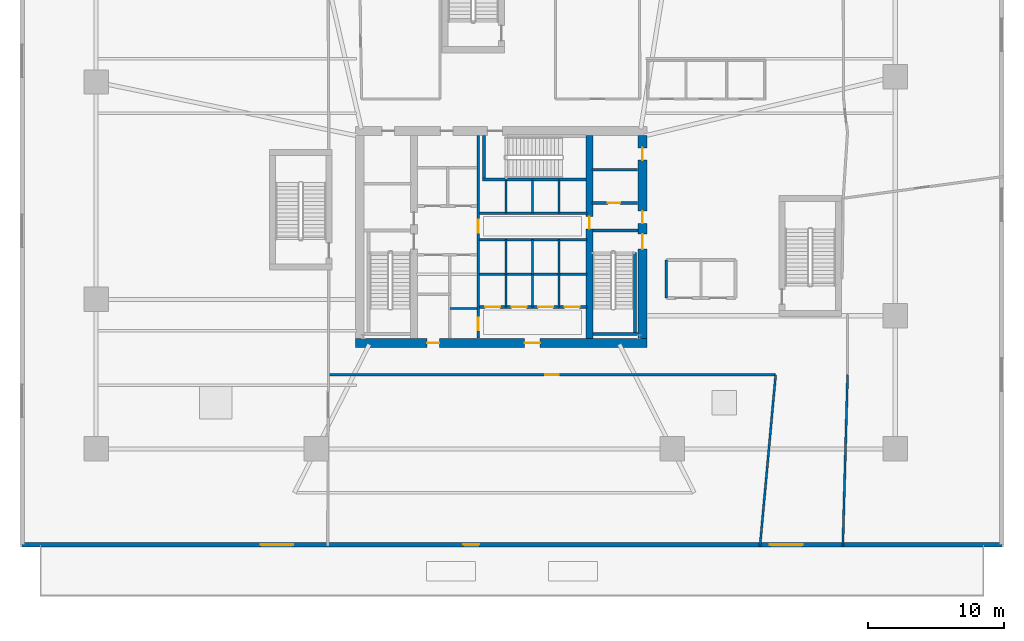
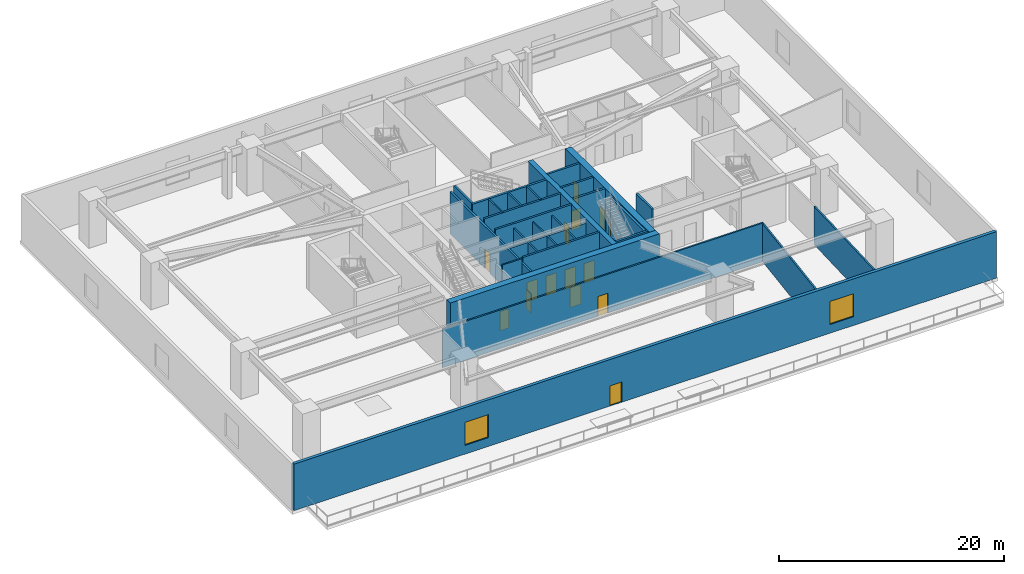
# One storey, part 5 of 11: 30 walls, 15 doors, 2 windows, 17 openings.
"""IFC4 building model written with IfcOpenShell, lengths in metres."""

from ifc_helpers import new_model, si_unit, direction, frame, frame_2d, origin, place, context, subcontext, project, spatial, rectangle, extrude, material, layer, layer_set, type_object, element, fill, save


model = new_model("IFC4")

# Units and contexts
model_context = context("Model", 3, precision=1e-05, world=origin(), true_north=direction((0.0, 1.0)))
body_context = subcontext(model_context, "Body", "Model", "MODEL_VIEW")
ifc_project = project(units=[si_unit("LENGTHUNIT", "METRE"), si_unit("AREAUNIT", "SQUARE_METRE"), si_unit("VOLUMEUNIT", "CUBIC_METRE"), si_unit("PLANEANGLEUNIT", "RADIAN"), si_unit("MASSUNIT", "GRAM", prefix="KILO")], contexts=[model_context])

# Site, building, storey
site_placement = place(None, origin())
site = spatial("IfcSite", under=ifc_project, at=site_placement, CompositionType="ELEMENT")
building_placement = place(site_placement, origin())
building = spatial("IfcBuilding", under=site, at=building_placement, Name="Qarnah Convention Tower", CompositionType="ELEMENT")
storey_placement = place(building_placement, frame((0.0, 0.0, 5.39990234375)))
storey = spatial("IfcBuildingStorey", under=building, at=storey_placement, Name="L01", CompositionType="ELEMENT", Elevation=5.39990234375)

# Wall, openings, doors
ifc_material_1 = material(Name="Concrete C60/75", Category="concrete")
ifc_layer_1 = layer(ifc_material_1, 0.64990234375)
ifc_layer_set_1 = layer_set([ifc_layer_1], Name="Concrete C60/75")
wall_type_1 = type_object("IfcWallType", Name="WL-CORE-650", PredefinedType="SHEAR", material=ifc_layer_set_1)
wall_1_placement = place(storey_placement, frame((26.47509765625, 18.60009765625, 0.0), z_axis=(0.0, 0.0, 1.0), x_axis=(1.0, 0.0, 0.0)))
wall_1 = element("IfcWall", 1, at=wall_1_placement, inside=storey, type_object=wall_type_1, Name="L01 core south shear wall", PredefinedType="SHEAR", context=body_context, shape_type="SweptSolid", body=[
    extrude(rectangle(XDim=21.449951171875, YDim=0.64990234375, at=frame_2d((10.72509765625, 0.0))), origin(), (0.0, 0.0, 1.0), 5.050048828125),
])
opening_1_placement = place(wall_1_placement, frame((12.449951171875, 0.0, 0.0)))
opening_1 = element("IfcOpeningElement", 2, at=opening_1_placement, cuts=wall_1, Name="Opening D-0107", PredefinedType="OPENING", context=body_context, shape_type="SweptSolid", body=[
    extrude(rectangle(XDim=1.14990234375, YDim=2.14990234375, at=frame_2d((0.574951171875, 1.074951171875))), frame((0.0, 0.3349609375, 0.0), z_axis=(0.0, -1.0, 0.0), x_axis=(1.0, 0.0, 0.0)), (0.0, 0.0, 1.0), 0.669921875),
])
opening_2_placement = place(wall_1_placement, frame((5.27490234375, 0.0, 0.0)))
opening_2 = element("IfcOpeningElement", 3, at=opening_2_placement, cuts=wall_1, Name="Opening D-0113", PredefinedType="OPENING", context=body_context, shape_type="SweptSolid", body=[
    extrude(rectangle(XDim=0.89990234375, YDim=2.10009765625, at=frame_2d((0.449951171875, 1.050048828125))), frame((0.0, 0.3349609375, 0.0), z_axis=(0.0, -1.0, 0.0), x_axis=(1.0, 0.0, 0.0)), (0.0, 0.0, 1.0), 0.669921875),
])
ifc_material_2 = material(Name="Structural steel S355JR", Category="steel")
door_type_1 = type_object("IfcDoorType", Name="DT-LOBBY-1150", OperationType="NOTDEFINED", PredefinedType="DOOR", material=ifc_material_2)
door_1_placement = place(opening_1_placement, origin())
door_1 = element("IfcDoor", 4, at=door_1_placement, inside=storey, type_object=door_type_1, Name="Door D-0107", OperationType="SINGLE_SWING_RIGHT", OverallHeight=2.14990234375, OverallWidth=1.14990234375, PredefinedType="DOOR", context=body_context, shape_type="SweptSolid", body=[
    extrude(rectangle(XDim=1.14990234375, YDim=2.14990234375, at=frame_2d((0.574951171875, 1.074951171875))), frame((0.0, 0.02490234375, 0.0), z_axis=(0.0, -1.0, 0.0), x_axis=(1.0, 0.0, 0.0)), (0.0, 0.0, 1.0), 0.050048828125),
])
fill(opening_1, door_1)
door_type_2 = type_object("IfcDoorType", Name="DT-RISER-900", OperationType="NOTDEFINED", PredefinedType="DOOR", material=ifc_material_2)
door_2_placement = place(opening_2_placement, origin())
door_2 = element("IfcDoor", 5, at=door_2_placement, inside=storey, type_object=door_type_2, Name="Door D-0113", OperationType="SINGLE_SWING_RIGHT", OverallHeight=2.10009765625, OverallWidth=0.89990234375, PredefinedType="DOOR", context=body_context, shape_type="SweptSolid", body=[
    extrude(rectangle(XDim=0.89990234375, YDim=2.10009765625, at=frame_2d((0.449951171875, 1.050048828125))), frame((0.0, 0.02490234375, 0.0), z_axis=(0.0, -1.0, 0.0), x_axis=(1.0, 0.0, 0.0)), (0.0, 0.0, 1.0), 0.050048828125),
])
fill(opening_2, door_2)

wall_2_placement = place(storey_placement, frame((47.60009765625, 18.925048828125, 0.0), z_axis=(0.0, 0.0, 1.0), x_axis=(0.0, 1.0, 0.0)))
wall_2 = element("IfcWall", 6, at=wall_2_placement, inside=storey, type_object=wall_type_1, Name="L01 core east shear wall", PredefinedType="SHEAR", context=body_context, shape_type="SweptSolid", body=[
    extrude(rectangle(XDim=14.949951171875, YDim=0.64990234375, at=frame_2d((7.47509765625, 0.0))), origin(), (0.0, 0.0, 1.0), 5.050048828125),
])
opening_3_placement = place(wall_2_placement, frame((6.574951171875, 0.0, 0.0)))
opening_3 = element("IfcOpeningElement", 7, at=opening_3_placement, cuts=wall_2, Name="Opening D-0102", PredefinedType="OPENING", context=body_context, shape_type="SweptSolid", body=[
    extrude(rectangle(XDim=1.10009765625, YDim=2.14990234375, at=frame_2d((0.550048828125, 1.074951171875))), frame((0.0, 0.3349609375, 0.0), z_axis=(0.0, -1.0, 0.0), x_axis=(1.0, 0.0, 0.0)), (0.0, 0.0, 1.0), 0.669921875),
])
opening_4_placement = place(wall_2_placement, frame((8.47509765625, 0.0, 0.0)))
opening_4 = element("IfcOpeningElement", 8, at=opening_4_placement, cuts=wall_2, Name="Opening D-0106", PredefinedType="OPENING", context=body_context, shape_type="SweptSolid", body=[
    extrude(rectangle(XDim=0.89990234375, YDim=2.10009765625, at=frame_2d((0.449951171875, 1.050048828125))), frame((0.0, 0.3349609375, 0.0), z_axis=(0.0, -1.0, 0.0), x_axis=(1.0, 0.0, 0.0)), (0.0, 0.0, 1.0), 0.669921875),
])
opening_5_placement = place(wall_2_placement, frame((13.125, 0.0, 0.0)))
opening_5 = element("IfcOpeningElement", 9, at=opening_5_placement, cuts=wall_2, Name="Opening D-0112", PredefinedType="OPENING", context=body_context, shape_type="SweptSolid", body=[
    extrude(rectangle(XDim=0.89990234375, YDim=2.10009765625, at=frame_2d((0.449951171875, 1.050048828125))), frame((0.0, 0.3349609375, 0.0), z_axis=(0.0, -1.0, 0.0), x_axis=(1.0, 0.0, 0.0)), (0.0, 0.0, 1.0), 0.669921875),
])
door_3_placement = place(opening_4_placement, origin())
door_3 = element("IfcDoor", 10, at=door_3_placement, inside=storey, type_object=door_type_2, Name="Door D-0106", OperationType="SINGLE_SWING_LEFT", OverallHeight=2.10009765625, OverallWidth=0.89990234375, PredefinedType="DOOR", context=body_context, shape_type="SweptSolid", body=[
    extrude(rectangle(XDim=0.89990234375, YDim=2.10009765625, at=frame_2d((0.449951171875, 1.050048828125))), frame((0.0, 0.02490234375, 0.0), z_axis=(0.0, -1.0, 0.0), x_axis=(1.0, 0.0, 0.0)), (0.0, 0.0, 1.0), 0.050048828125),
])
fill(opening_4, door_3)
door_4_placement = place(opening_5_placement, origin())
door_4 = element("IfcDoor", 11, at=door_4_placement, inside=storey, type_object=door_type_2, Name="Door D-0112", OperationType="SINGLE_SWING_LEFT", OverallHeight=2.10009765625, OverallWidth=0.89990234375, PredefinedType="DOOR", context=body_context, shape_type="SweptSolid", body=[
    extrude(rectangle(XDim=0.89990234375, YDim=2.10009765625, at=frame_2d((0.449951171875, 1.050048828125))), frame((0.0, 0.02490234375, 0.0), z_axis=(0.0, -1.0, 0.0), x_axis=(1.0, 0.0, 0.0)), (0.0, 0.0, 1.0), 0.050048828125),
])
fill(opening_5, door_4)
door_type_3 = type_object("IfcDoorType", Name="DT-STAIR-1100", OperationType="NOTDEFINED", PredefinedType="DOOR", material=ifc_material_2)
door_5_placement = place(opening_3_placement, origin())
door_5 = element("IfcDoor", 12, at=door_5_placement, inside=storey, type_object=door_type_3, Name="Door D-0102", OperationType="SINGLE_SWING_LEFT", OverallHeight=2.14990234375, OverallWidth=1.10009765625, PredefinedType="DOOR", context=body_context, shape_type="SweptSolid", body=[
    extrude(rectangle(XDim=1.10009765625, YDim=2.14990234375, at=frame_2d((0.550048828125, 1.074951171875))), frame((0.0, 0.02490234375, 0.0), z_axis=(0.0, -1.0, 0.0), x_axis=(1.0, 0.0, 0.0)), (0.0, 0.0, 1.0), 0.050048828125),
])
fill(opening_3, door_5)

# Wall, opening, door
ifc_layer_2 = layer(ifc_material_1, 0.5)
ifc_layer_set_2 = layer_set([ifc_layer_2], Name="Concrete C60/75")
wall_type_2 = type_object("IfcWallType", Name="WL-CORE-INT-400", PredefinedType="SHEAR", material=ifc_layer_set_2)
wall_3_placement = place(storey_placement, frame((43.699951171875, 18.925048828125, 0.0), z_axis=(0.0, 0.0, 1.0), x_axis=(0.0, 1.0, 0.0)))
wall_3 = element("IfcWall", 13, at=wall_3_placement, inside=storey, type_object=wall_type_2, Name="L01 core east spine shear wall", PredefinedType="SHEAR", context=body_context, shape_type="SweptSolid", body=[
    extrude(rectangle(XDim=14.949951171875, YDim=0.5, at=frame_2d((7.47509765625, 0.0))), origin(), (0.0, 0.0, 1.0), 5.050048828125),
])
opening_6_placement = place(wall_3_placement, frame((8.074951171875, 0.0, 0.0)))
opening_6 = element("IfcOpeningElement", 14, at=opening_6_placement, cuts=wall_3, Name="Opening D-0105", PredefinedType="OPENING", context=body_context, shape_type="SweptSolid", body=[
    extrude(rectangle(XDim=0.89990234375, YDim=2.10009765625, at=frame_2d((0.449951171875, 1.050048828125))), frame((0.0, 0.260009765625, 0.0), z_axis=(0.0, -1.0, 0.0), x_axis=(1.0, 0.0, 0.0)), (0.0, 0.0, 1.0), 0.52001953125),
])
door_6_placement = place(opening_6_placement, origin())
door_6 = element("IfcDoor", 15, at=door_6_placement, inside=storey, type_object=door_type_2, Name="Door D-0105", OperationType="SINGLE_SWING_RIGHT", OverallHeight=2.10009765625, OverallWidth=0.89990234375, PredefinedType="DOOR", context=body_context, shape_type="SweptSolid", body=[
    extrude(rectangle(XDim=0.89990234375, YDim=2.10009765625, at=frame_2d((0.449951171875, 1.050048828125))), frame((0.0, 0.02490234375, 0.0), z_axis=(0.0, -1.0, 0.0), x_axis=(1.0, 0.0, 0.0)), (0.0, 0.0, 1.0), 0.050048828125),
])
fill(opening_6, door_6)

ifc_material_3 = material(Name="Concrete C45/55", Category="concrete")
ifc_layer_3 = layer(ifc_material_3, 0.199951171875)
ifc_layer_set_3 = layer_set([ifc_layer_3], Name="Concrete C45/55")
wall_type_3 = type_object("IfcWallType", Name="WL-CORE-PART-200", PredefinedType="SOLIDWALL", material=ifc_layer_set_3)
wall_4_placement = place(storey_placement, frame((43.89990234375, 28.89990234375, 0.0), z_axis=(0.0, 0.0, 1.0), x_axis=(1.0, 0.0, 0.0)))
wall_4 = element("IfcWall", 16, at=wall_4_placement, inside=storey, type_object=wall_type_3, Name="L01 interior wall IW-L01-EVSTN", PredefinedType="SOLIDWALL", context=body_context, shape_type="SweptSolid", body=[
    extrude(rectangle(XDim=3.35009765625, YDim=0.199951171875, at=frame_2d((1.675048828125, 0.0))), origin(), (0.0, 0.0, 1.0), 5.050048828125),
])
opening_7_placement = place(wall_4_placement, frame((1.14990234375, 0.0, 0.0)))
opening_7 = element("IfcOpeningElement", 17, at=opening_7_placement, cuts=wall_4, Name="Opening D-0111", PredefinedType="OPENING", context=body_context, shape_type="SweptSolid", body=[
    extrude(rectangle(XDim=0.89990234375, YDim=2.10009765625, at=frame_2d((0.449951171875, 1.050048828125))), frame((0.0, 0.10986328125, 0.0), z_axis=(0.0, -1.0, 0.0), x_axis=(1.0, 0.0, 0.0)), (0.0, 0.0, 1.0), 0.219970703125),
])
door_7_placement = place(opening_7_placement, origin())
door_7 = element("IfcDoor", 18, at=door_7_placement, inside=storey, type_object=door_type_2, Name="Door D-0111", OperationType="SINGLE_SWING_RIGHT", OverallHeight=2.10009765625, OverallWidth=0.89990234375, PredefinedType="DOOR", context=body_context, shape_type="SweptSolid", body=[
    extrude(rectangle(XDim=0.89990234375, YDim=2.10009765625, at=frame_2d((0.449951171875, 1.050048828125))), frame((0.0, 0.02490234375, 0.0), z_axis=(0.0, -1.0, 0.0), x_axis=(1.0, 0.0, 0.0)), (0.0, 0.0, 1.0), 0.050048828125),
])
fill(opening_7, door_7)

# Wall
wall_5_placement = place(storey_placement, frame((43.89990234375, 31.35009765625, 0.0), z_axis=(0.0, 0.0, 1.0), x_axis=(1.0, 0.0, 0.0)))
element("IfcWall", 19, at=wall_5_placement, inside=storey, type_object=wall_type_3, Name="L01 interior wall IW-L01-WTRN", PredefinedType="SOLIDWALL", context=body_context, shape_type="SweptSolid", body=[
    extrude(rectangle(XDim=3.35009765625, YDim=0.199951171875, at=frame_2d((1.675048828125, 0.0))), origin(), (0.0, 0.0, 1.0), 5.050048828125),
])

# Wall, openings, doors
wall_6_placement = place(storey_placement, frame((35.52001953125, 18.949951171875, 0.0), z_axis=(0.0, 0.0, 1.0), x_axis=(0.0, 1.0, 0.0)))
wall_6 = element("IfcWall", 20, at=wall_6_placement, inside=storey, type_object=wall_type_3, Name="L01 interior wall IW-L01-CSP", PredefinedType="SOLIDWALL", context=body_context, shape_type="SweptSolid", body=[
    extrude(rectangle(XDim=14.900146484375, YDim=0.199951171875, at=frame_2d((7.4501953125, 0.0))), origin(), (0.0, 0.0, 1.0), 4.571044921875),
])
opening_8_placement = place(wall_6_placement, frame((7.7548828125, 0.0, 0.0)))
opening_8 = element("IfcOpeningElement", 21, at=opening_8_placement, cuts=wall_6, Name="Opening D-0104", PredefinedType="OPENING", context=body_context, shape_type="SweptSolid", body=[
    extrude(rectangle(XDim=0.949951171875, YDim=2.14990234375, at=frame_2d((0.47509765625, 1.074951171875))), frame((0.0, 0.10986328125, 0.0), z_axis=(0.0, -1.0, 0.0), x_axis=(1.0, 0.0, 0.0)), (0.0, 0.0, 1.0), 0.219970703125),
])
opening_9_placement = place(wall_6_placement, frame((0.60009765625, 0.0, 0.0)))
opening_9 = element("IfcOpeningElement", 22, at=opening_9_placement, cuts=wall_6, Name="Opening D-0114", PredefinedType="OPENING", context=body_context, shape_type="SweptSolid", body=[
    extrude(rectangle(XDim=0.89990234375, YDim=2.10009765625, at=frame_2d((0.449951171875, 1.050048828125))), frame((0.0, 0.10986328125, 0.0), z_axis=(0.0, -1.0, 0.0), x_axis=(1.0, 0.0, 0.0)), (0.0, 0.0, 1.0), 0.219970703125),
])
ifc_material_4 = material(Name="Oak timber veneer", Category="wood")
door_type_4 = type_object("IfcDoorType", Name="DT-HOTEL-950", OperationType="NOTDEFINED", PredefinedType="DOOR", material=ifc_material_4)
door_8_placement = place(opening_8_placement, origin())
door_8 = element("IfcDoor", 23, at=door_8_placement, inside=storey, type_object=door_type_4, Name="Door D-0104", OperationType="SINGLE_SWING_LEFT", OverallHeight=2.14990234375, OverallWidth=0.949951171875, PredefinedType="DOOR", context=body_context, shape_type="SweptSolid", body=[
    extrude(rectangle(XDim=0.949951171875, YDim=2.14990234375, at=frame_2d((0.47509765625, 1.074951171875))), frame((0.0, 0.02490234375, 0.0), z_axis=(0.0, -1.0, 0.0), x_axis=(1.0, 0.0, 0.0)), (0.0, 0.0, 1.0), 0.050048828125),
])
fill(opening_8, door_8)
door_9_placement = place(opening_9_placement, origin())
door_9 = element("IfcDoor", 24, at=door_9_placement, inside=storey, type_object=door_type_2, Name="Door D-0114", OperationType="SINGLE_SWING_LEFT", OverallHeight=2.10009765625, OverallWidth=0.89990234375, PredefinedType="DOOR", context=body_context, shape_type="SweptSolid", body=[
    extrude(rectangle(XDim=0.89990234375, YDim=2.10009765625, at=frame_2d((0.449951171875, 1.050048828125))), frame((0.0, 0.02490234375, 0.0), z_axis=(0.0, -1.0, 0.0), x_axis=(1.0, 0.0, 0.0)), (0.0, 0.0, 1.0), 0.050048828125),
])
fill(opening_9, door_9)

# Walls
for number, where, z_axis, x_axis, name in (
    (25, (35.6201171875, 28.14990234375, 0.0), (0.0, 0.0, 1.0), (1.0, 0.0, 0.0), "L01 interior wall IW-L01-PHS"),
    (26, (35.6201171875, 26.199951171875, 0.0), (0.0, 0.0, 1.0), (1.0, 0.0, 0.0), "L01 interior wall IW-L01-PMN"),
):
    element("IfcWall", number, at=place(storey_placement, frame(where, z_axis=z_axis, x_axis=x_axis)), inside=storey, type_object=wall_type_3, Name=name, PredefinedType="SOLIDWALL", context=body_context, shape_type="SweptSolid", body=[
        extrude(rectangle(XDim=7.8798828125, YDim=0.199951171875, at=frame_2d((3.93994140625, 0.0))), origin(), (0.0, 0.0, 1.0), 5.050048828125),
    ])
wall_7_placement = place(storey_placement, frame((35.6201171875, 23.64990234375, 0.0), z_axis=(0.0, 0.0, 1.0), x_axis=(1.0, 0.0, 0.0)))
element("IfcWall", 27, at=wall_7_placement, inside=storey, type_object=wall_type_3, Name="L01 interior wall IW-L01-PMPL", PredefinedType="SOLIDWALL", context=body_context, shape_type="SweptSolid", body=[
    extrude(rectangle(XDim=7.8798828125, YDim=0.199951171875, at=frame_2d((3.93994140625, 0.0))), origin(), (0.0, 0.0, 1.0), 4.571044921875),
])

# Wall, openings, doors
wall_8_placement = place(storey_placement, frame((35.6201171875, 21.25, 0.0), z_axis=(0.0, 0.0, 1.0), x_axis=(1.0, 0.0, 0.0)))
wall_8 = element("IfcWall", 28, at=wall_8_placement, inside=storey, type_object=wall_type_3, Name="L01 interior wall IW-L01-PLS", PredefinedType="SOLIDWALL", context=body_context, shape_type="SweptSolid", body=[
    extrude(rectangle(XDim=7.8798828125, YDim=0.199951171875, at=frame_2d((3.93994140625, 0.0))), origin(), (0.0, 0.0, 1.0), 5.050048828125),
])
opening_10_placement = place(wall_8_placement, frame((0.405029296875, 0.0, 0.0)))
opening_10 = element("IfcOpeningElement", 29, at=opening_10_placement, cuts=wall_8, Name="Opening LD-0104", PredefinedType="OPENING", context=body_context, shape_type="SweptSolid", body=[
    extrude(rectangle(XDim=1.10009765625, YDim=2.14990234375, at=frame_2d((0.550048828125, 1.074951171875))), frame((0.0, 0.10986328125, 0.0), z_axis=(0.0, -1.0, 0.0), x_axis=(1.0, 0.0, 0.0)), (0.0, 0.0, 1.0), 0.219970703125),
])
opening_11_placement = place(wall_8_placement, frame((2.35498046875, 0.0, 0.0)))
opening_11 = element("IfcOpeningElement", 30, at=opening_11_placement, cuts=wall_8, Name="Opening LD-0105", PredefinedType="OPENING", context=body_context, shape_type="SweptSolid", body=[
    extrude(rectangle(XDim=1.10009765625, YDim=2.14990234375, at=frame_2d((0.550048828125, 1.074951171875))), frame((0.0, 0.10986328125, 0.0), z_axis=(0.0, -1.0, 0.0), x_axis=(1.0, 0.0, 0.0)), (0.0, 0.0, 1.0), 0.219970703125),
])
opening_12_placement = place(wall_8_placement, frame((4.304931640625, 0.0, 0.0)))
opening_12 = element("IfcOpeningElement", 31, at=opening_12_placement, cuts=wall_8, Name="Opening LD-0106", PredefinedType="OPENING", context=body_context, shape_type="SweptSolid", body=[
    extrude(rectangle(XDim=1.10009765625, YDim=2.14990234375, at=frame_2d((0.550048828125, 1.074951171875))), frame((0.0, 0.10986328125, 0.0), z_axis=(0.0, -1.0, 0.0), x_axis=(1.0, 0.0, 0.0)), (0.0, 0.0, 1.0), 0.219970703125),
])
opening_13_placement = place(wall_8_placement, frame((6.2548828125, 0.0, 0.0)))
opening_13 = element("IfcOpeningElement", 32, at=opening_13_placement, cuts=wall_8, Name="Opening LD-0107", PredefinedType="OPENING", context=body_context, shape_type="SweptSolid", body=[
    extrude(rectangle(XDim=1.10009765625, YDim=2.14990234375, at=frame_2d((0.550048828125, 1.074951171875))), frame((0.0, 0.10986328125, 0.0), z_axis=(0.0, -1.0, 0.0), x_axis=(1.0, 0.0, 0.0)), (0.0, 0.0, 1.0), 0.219970703125),
])
door_type_5 = type_object("IfcDoorType", Name="DT-LIFT-1100", OperationType="SLIDING_TO_LEFT", PredefinedType="DOOR", material=ifc_material_2)
door_10_placement = place(opening_10_placement, origin())
door_10 = element("IfcDoor", 33, at=door_10_placement, inside=storey, type_object=door_type_5, Name="Door LD-0104", OperationType="SLIDING_TO_LEFT", OverallHeight=2.14990234375, OverallWidth=1.10009765625, PredefinedType="DOOR", context=body_context, shape_type="SweptSolid", body=[
    extrude(rectangle(XDim=1.10009765625, YDim=2.14990234375, at=frame_2d((0.550048828125, 1.074951171875))), frame((0.0, 0.02490234375, 0.0), z_axis=(0.0, -1.0, 0.0), x_axis=(1.0, 0.0, 0.0)), (0.0, 0.0, 1.0), 0.050048828125),
])
fill(opening_10, door_10)
door_11_placement = place(opening_11_placement, origin())
door_11 = element("IfcDoor", 34, at=door_11_placement, inside=storey, type_object=door_type_5, Name="Door LD-0105", OperationType="SLIDING_TO_LEFT", OverallHeight=2.14990234375, OverallWidth=1.10009765625, PredefinedType="DOOR", context=body_context, shape_type="SweptSolid", body=[
    extrude(rectangle(XDim=1.10009765625, YDim=2.14990234375, at=frame_2d((0.550048828125, 1.074951171875))), frame((0.0, 0.02490234375, 0.0), z_axis=(0.0, -1.0, 0.0), x_axis=(1.0, 0.0, 0.0)), (0.0, 0.0, 1.0), 0.050048828125),
])
fill(opening_11, door_11)
door_12_placement = place(opening_12_placement, origin())
door_12 = element("IfcDoor", 35, at=door_12_placement, inside=storey, type_object=door_type_5, Name="Door LD-0106", OperationType="SLIDING_TO_LEFT", OverallHeight=2.14990234375, OverallWidth=1.10009765625, PredefinedType="DOOR", context=body_context, shape_type="SweptSolid", body=[
    extrude(rectangle(XDim=1.10009765625, YDim=2.14990234375, at=frame_2d((0.550048828125, 1.074951171875))), frame((0.0, 0.02490234375, 0.0), z_axis=(0.0, -1.0, 0.0), x_axis=(1.0, 0.0, 0.0)), (0.0, 0.0, 1.0), 0.050048828125),
])
fill(opening_12, door_12)
door_13_placement = place(opening_13_placement, origin())
door_13 = element("IfcDoor", 36, at=door_13_placement, inside=storey, type_object=door_type_5, Name="Door LD-0107", OperationType="SLIDING_TO_LEFT", OverallHeight=2.14990234375, OverallWidth=1.10009765625, PredefinedType="DOOR", context=body_context, shape_type="SweptSolid", body=[
    extrude(rectangle(XDim=1.10009765625, YDim=2.14990234375, at=frame_2d((0.550048828125, 1.074951171875))), frame((0.0, 0.02490234375, 0.0), z_axis=(0.0, -1.0, 0.0), x_axis=(1.0, 0.0, 0.0)), (0.0, 0.0, 1.0), 0.050048828125),
])
fill(opening_13, door_13)

# Walls
wall_9_placement = place(storey_placement, frame((49.35009765625, 21.89990234375, 0.0), z_axis=(0.0, 0.0, 1.0), x_axis=(0.0, 1.0, 0.0)))
element("IfcWall", 37, at=wall_9_placement, inside=storey, type_object=wall_type_3, Name="L01 interior wall IW-L01-PSW", PredefinedType="SOLIDWALL", context=body_context, shape_type="SweptSolid", body=[
    extrude(rectangle(XDim=2.800048828125, YDim=0.199951171875, at=frame_2d((1.39990234375, 0.0))), origin(), (0.0, 0.0, 1.0), 5.050048828125),
])
ifc_layer_4 = layer(ifc_material_1, 0.219970703125)
ifc_layer_set_4 = layer_set([ifc_layer_4], Name="Concrete C60/75")
wall_type_4 = type_object("IfcWallType", Name="WL-CORE-STAIR-220", PredefinedType="SHEAR", material=ifc_layer_set_4)
wall_10_placement = place(storey_placement, frame((43.949951171875, 26.860107421875, 0.0), z_axis=(0.0, 0.0, 1.0), x_axis=(1.0, 0.0, 0.0)))
element("IfcWall", 38, at=wall_10_placement, inside=storey, type_object=wall_type_4, Name="L01 stair shaft shear wall SW-L01-ST2N", PredefinedType="SHEAR", context=body_context, shape_type="SweptSolid", body=[
    extrude(rectangle(XDim=3.324951171875, YDim=0.219970703125, at=frame_2d((1.66259765625, 0.0))), origin(), (0.0, 0.0, 1.0), 5.050048828125),
])
wall_11_placement = place(storey_placement, frame((47.06005859375, 19.35009765625, 0.0), z_axis=(0.0, 0.0, 1.0), x_axis=(0.0, 1.0, 0.0)))
element("IfcWall", 39, at=wall_11_placement, inside=storey, type_object=wall_type_4, Name="L01 stair shaft shear wall SW-L01-ST2E", PredefinedType="SHEAR", context=body_context, shape_type="SweptSolid", body=[
    extrude(rectangle(XDim=5.89990234375, YDim=0.219970703125, at=frame_2d((2.949951171875, 0.0))), origin(), (0.0, 0.0, 1.0), 5.050048828125),
])
wall_12_placement = place(storey_placement, frame((43.949951171875, 19.239990234375, 0.0), z_axis=(0.0, 0.0, 1.0), x_axis=(1.0, 0.0, 0.0)))
element("IfcWall", 40, at=wall_12_placement, inside=storey, type_object=wall_type_4, Name="L01 stair shaft shear wall SW-L01-ST2S", PredefinedType="SHEAR", context=body_context, shape_type="SweptSolid", body=[
    extrude(rectangle(XDim=3.324951171875, YDim=0.219970703125, at=frame_2d((1.66259765625, 0.0))), origin(), (0.0, 0.0, 1.0), 5.050048828125),
])
wall_13_placement = place(storey_placement, frame((35.840087890625, 30.639892578125, 0.0), z_axis=(0.0, 0.0, 1.0), x_axis=(1.0, 0.0, 0.0)))
element("IfcWall", 41, at=wall_13_placement, inside=storey, type_object=wall_type_4, Name="L01 stair shaft shear wall SW-L01-ST3S", PredefinedType="SHEAR", context=body_context, shape_type="SweptSolid", body=[
    extrude(rectangle(XDim=7.60986328125, YDim=0.219970703125, at=frame_2d((3.804931640625, 0.0))), origin(), (0.0, 0.0, 1.0), 5.050048828125),
])
wall_14_placement = place(storey_placement, frame((35.93994140625, 30.75, 0.0), z_axis=(0.0, 0.0, 1.0), x_axis=(0.0, 1.0, 0.0)))
element("IfcWall", 42, at=wall_14_placement, inside=storey, type_object=wall_type_4, Name="L01 stair shaft shear wall SW-L01-ST3W", PredefinedType="SHEAR", context=body_context, shape_type="SweptSolid", body=[
    extrude(rectangle(XDim=3.125, YDim=0.219970703125, at=frame_2d((1.5625, 0.0))), origin(), (0.0, 0.0, 1.0), 5.050048828125),
])
ifc_material_5 = material(Name="Gypsum partition board")
ifc_layer_5 = layer(ifc_material_5, 0.159912109375)
ifc_layer_set_5 = layer_set([ifc_layer_5], Name="Gypsum partition board")
wall_type_5 = type_object("IfcWallType", Name="WL-CORR-160", PredefinedType="PARTITIONING", material=ifc_layer_set_5)
wall_15_placement = place(storey_placement, frame((56.2490234375, 3.660888671875, 0.0), z_axis=(0.0, 0.0, 1.0), x_axis=(0.090967236709, 0.995853885791, 0.0)))
element("IfcWall", 43, at=wall_15_placement, inside=storey, type_object=wall_type_5, Name="L01 interior wall IW-L01-R-13", PredefinedType="PARTITIONING", context=body_context, shape_type="SweptSolid", body=[
    extrude(rectangle(XDim=12.651611328125, YDim=0.159912109375, at=frame_2d((6.32568359375, 0.0))), origin(), (0.0, 0.0, 1.0), 4.123046875),
])

# Wall, opening, door
wall_16_placement = place(storey_placement, frame((57.39990234375, 16.260009765625, 0.0), z_axis=(0.0, 0.0, 1.0), x_axis=(-1.0, 0.0, 0.0)))
wall_16 = element("IfcWall", 44, at=wall_16_placement, inside=storey, type_object=wall_type_5, Name="L01 interior wall IW-L01-R-14", PredefinedType="PARTITIONING", context=body_context, shape_type="SweptSolid", body=[
    extrude(rectangle(XDim=32.908935546875, YDim=0.159912109375, at=frame_2d((16.45458984375, 0.0))), origin(), (0.0, 0.0, 1.0), 4.203125),
])
opening_14_placement = place(wall_16_placement, frame((15.955078125, 0.0, 0.0)))
opening_14 = element("IfcOpeningElement", 45, at=opening_14_placement, cuts=wall_16, Name="Opening D-0123", PredefinedType="OPENING", context=body_context, shape_type="SweptSolid", body=[
    extrude(rectangle(XDim=1.0, YDim=2.14990234375, at=frame_2d((0.5, 1.074951171875))), frame((0.0, 0.08984375, 0.0), z_axis=(0.0, -1.0, 0.0), x_axis=(1.0, 0.0, 0.0)), (0.0, 0.0, 1.0), 0.179931640625),
])
door_type_6 = type_object("IfcDoorType", Name="DT-OFFICE-1000", OperationType="NOTDEFINED", PredefinedType="DOOR", material=ifc_material_4)
door_14_placement = place(opening_14_placement, origin())
door_14 = element("IfcDoor", 46, at=door_14_placement, inside=storey, type_object=door_type_6, Name="Door D-0123", OperationType="SINGLE_SWING_LEFT", OverallHeight=2.14990234375, OverallWidth=1.0, PredefinedType="DOOR", context=body_context, shape_type="SweptSolid", body=[
    extrude(rectangle(XDim=1.0, YDim=2.14990234375, at=frame_2d((0.5, 1.074951171875))), frame((0.0, 0.02490234375, 0.0), z_axis=(0.0, -1.0, 0.0), x_axis=(1.0, 0.0, 0.0)), (0.0, 0.0, 1.0), 0.050048828125),
])
fill(opening_14, door_14)

# Wall
wall_17_placement = place(storey_placement, frame((62.68994140625, 16.260009765625, 0.0), z_axis=(0.0, 0.0, 1.0), x_axis=(-0.027664969833, -0.999617251474, 0.0)))
element("IfcWall", 47, at=wall_17_placement, inside=storey, type_object=wall_type_5, Name="L01 interior wall IW-L01-R-18", PredefinedType="PARTITIONING", context=body_context, shape_type="SweptSolid", body=[
    extrude(rectangle(XDim=12.61083984375, YDim=0.159912109375, at=frame_2d((6.305419921875, 0.0))), origin(), (0.0, 0.0, 1.0), 4.123046875),
])

# Wall, openings, door, windows
ifc_material_6 = material(Name="Precast concrete C45/55", Category="concrete")
ifc_layer_6 = layer(ifc_material_6, 0.320068359375)
ifc_layer_set_6 = layer_set([ifc_layer_6], Name="Precast concrete C45/55")
wall_type_6 = type_object("IfcWallType", Name="WL-EXT-POD-320", PredefinedType="SOLIDWALL", material=ifc_layer_set_6)
wall_18_placement = place(storey_placement, frame((74.0400390625, 3.760009765625, 0.0), z_axis=(0.0, 0.0, 1.0), x_axis=(-1.0, 0.0, 0.0)))
wall_18 = element("IfcWall", 48, at=wall_18_placement, inside=storey, type_object=wall_type_6, Name="L01 precast facade wall S", PredefinedType="SOLIDWALL", context=body_context, shape_type="SweptSolid", body=[
    extrude(rectangle(XDim=72.080078125, YDim=0.320068359375, at=frame_2d((36.0400390625, 0.0))), origin(), (0.0, 0.0, 1.0), 5.050048828125),
])
opening_15_placement = place(wall_18_placement, frame((14.657958984375, 0.0, 0.949951171875)))
opening_15 = element("IfcOpeningElement", 49, at=opening_15_placement, cuts=wall_18, Name="Opening WN1", PredefinedType="OPENING", context=body_context, shape_type="SweptSolid", body=[
    extrude(rectangle(XDim=2.39990234375, YDim=2.5, at=frame_2d((1.199951171875, 1.25))), frame((0.0, 0.169921875, 0.0), z_axis=(0.0, -1.0, 0.0), x_axis=(1.0, 0.0, 0.0)), (0.0, 0.0, 1.0), 0.340087890625),
])
opening_16_placement = place(wall_18_placement, frame((52.138916015625, 0.0, 0.949951171875)))
opening_16 = element("IfcOpeningElement", 50, at=opening_16_placement, cuts=wall_18, Name="Opening WN1", PredefinedType="OPENING", context=body_context, shape_type="SweptSolid", body=[
    extrude(rectangle(XDim=2.39990234375, YDim=2.5, at=frame_2d((1.199951171875, 1.25))), frame((0.0, 0.169921875, 0.0), z_axis=(0.0, -1.0, 0.0), x_axis=(1.0, 0.0, 0.0)), (0.0, 0.0, 1.0), 0.340087890625),
])
opening_17_placement = place(wall_18_placement, frame((38.43994140625, 0.0, 0.0)))
opening_17 = element("IfcOpeningElement", 51, at=opening_17_placement, cuts=wall_18, Name="Opening TD-0101", PredefinedType="OPENING", context=body_context, shape_type="SweptSolid", body=[
    extrude(rectangle(XDim=1.199951171875, YDim=2.199951171875, at=frame_2d((0.60009765625, 1.10009765625))), frame((0.0, 0.169921875, 0.0), z_axis=(0.0, -1.0, 0.0), x_axis=(1.0, 0.0, 0.0)), (0.0, 0.0, 1.0), 0.340087890625),
])
ifc_material_7 = material(Name="Black anodised aluminium", Category="aluminium")
door_type_7 = type_object("IfcDoorType", Name="DT-TER-1200", OperationType="NOTDEFINED", PredefinedType="DOOR", material=ifc_material_7)
door_15_placement = place(opening_17_placement, origin())
door_15 = element("IfcDoor", 52, at=door_15_placement, inside=storey, type_object=door_type_7, Name="L01 podium terrace access door", OperationType="SINGLE_SWING_LEFT", OverallHeight=2.199951171875, OverallWidth=1.199951171875, PredefinedType="DOOR", context=body_context, shape_type="SweptSolid", body=[
    extrude(rectangle(XDim=1.199951171875, YDim=2.199951171875, at=frame_2d((0.60009765625, 1.10009765625))), frame((0.0, 0.02490234375, 0.0), z_axis=(0.0, -1.0, 0.0), x_axis=(1.0, 0.0, 0.0)), (0.0, 0.0, 1.0), 0.050048828125),
])
fill(opening_17, door_15)
ifc_material_8 = material(Name="Tempered Low-E dark glass", Category="glass")
window_type = type_object("IfcWindowType", Name="WT-POD-2400X2600", PartitioningType="SINGLE_PANEL", PredefinedType="WINDOW", material=ifc_material_8)
window_1_placement = place(opening_15_placement, origin())
window_1 = element("IfcWindow", 53, at=window_1_placement, inside=storey, type_object=window_type, Name="Window WIN-L01-S1", OverallHeight=2.5, OverallWidth=2.39990234375, PartitioningType="SINGLE_PANEL", PredefinedType="WINDOW", context=body_context, shape_type="SweptSolid", body=[
    extrude(rectangle(XDim=2.39990234375, YDim=2.5, at=frame_2d((1.199951171875, 1.25))), frame((0.0, 0.030029296875, 0.0), z_axis=(0.0, -1.0, 0.0), x_axis=(1.0, 0.0, 0.0)), (0.0, 0.0, 1.0), 0.06005859375),
])
fill(opening_15, window_1)
window_2_placement = place(opening_16_placement, origin())
window_2 = element("IfcWindow", 54, at=window_2_placement, inside=storey, type_object=window_type, Name="Window WIN-L01-S3", OverallHeight=2.5, OverallWidth=2.39990234375, PartitioningType="SINGLE_PANEL", PredefinedType="WINDOW", context=body_context, shape_type="SweptSolid", body=[
    extrude(rectangle(XDim=2.39990234375, YDim=2.5, at=frame_2d((1.199951171875, 1.25))), frame((0.0, 0.030029296875, 0.0), z_axis=(0.0, -1.0, 0.0), x_axis=(1.0, 0.0, 0.0)), (0.0, 0.0, 1.0), 0.06005859375),
])
fill(opening_16, window_2)

# Walls
ifc_layer_7 = layer(ifc_material_5, 0.14990234375)
ifc_layer_set_7 = layer_set([ifc_layer_7], Name="Gypsum partition board")
wall_type_7 = type_object("IfcWallType", Name="WL-SUITE-150", PredefinedType="PARTITIONING", material=ifc_layer_set_7)
wall_19_placement = place(storey_placement, frame((33.419921875, 21.1201171875, 0.0), z_axis=(0.0, 0.0, 1.0), x_axis=(1.0, 0.0, 0.0)))
element("IfcWall", 55, at=wall_19_placement, inside=storey, type_object=wall_type_7, Name="L01 interior wall IW-L01-CSV1", PredefinedType="PARTITIONING", context=body_context, shape_type="SweptSolid", body=[
    extrude(rectangle(XDim=2.0, YDim=0.14990234375, at=frame_2d((1.0, 0.0))), origin(), (0.0, 0.0, 1.0), 5.050048828125),
])
for number, where, z_axis, x_axis, name in (
    (56, (37.550048828125, 28.14990234375, 0.0), (0.0, 0.0, 1.0), (0.0, 1.0, 0.0), "L01 interior wall IW-L01-PHD1"),
    (57, (39.5, 28.14990234375, 0.0), (0.0, 0.0, 1.0), (0.0, 1.0, 0.0), "L01 interior wall IW-L01-PHD2"),
    (58, (41.449951171875, 28.14990234375, 0.0), (0.0, 0.0, 1.0), (0.0, 1.0, 0.0), "L01 interior wall IW-L01-PHD3"),
):
    element("IfcWall", number, at=place(storey_placement, frame(where, z_axis=z_axis, x_axis=x_axis)), inside=storey, type_object=wall_type_7, Name=name, PredefinedType="PARTITIONING", context=body_context, shape_type="SweptSolid", body=[
        extrude(rectangle(XDim=2.43017578125, YDim=0.14990234375, at=frame_2d((1.215087890625, 0.0))), origin(), (0.0, 0.0, 1.0), 5.050048828125),
    ])
for number, where, z_axis, x_axis, name in (
    (59, (37.550048828125, 23.64990234375, 0.0), (0.0, 0.0, 1.0), (0.0, 1.0, 0.0), "L01 interior wall IW-L01-PMD1"),
    (60, (39.5, 23.64990234375, 0.0), (0.0, 0.0, 1.0), (0.0, 1.0, 0.0), "L01 interior wall IW-L01-PMD2"),
    (61, (41.449951171875, 23.64990234375, 0.0), (0.0, 0.0, 1.0), (0.0, 1.0, 0.0), "L01 interior wall IW-L01-PMD3"),
):
    element("IfcWall", number, at=place(storey_placement, frame(where, z_axis=z_axis, x_axis=x_axis)), inside=storey, type_object=wall_type_7, Name=name, PredefinedType="PARTITIONING", context=body_context, shape_type="SweptSolid", body=[
        extrude(rectangle(XDim=2.550048828125, YDim=0.14990234375, at=frame_2d((1.27490234375, 0.0))), origin(), (0.0, 0.0, 1.0), 4.571044921875),
    ])
for number, where, z_axis, x_axis, name in (
    (62, (37.550048828125, 21.25, 0.0), (0.0, 0.0, 1.0), (0.0, 1.0, 0.0), "L01 interior wall IW-L01-PLD1"),
    (63, (39.5, 21.25, 0.0), (0.0, 0.0, 1.0), (0.0, 1.0, 0.0), "L01 interior wall IW-L01-PLD2"),
    (64, (41.449951171875, 21.25, 0.0), (0.0, 0.0, 1.0), (0.0, 1.0, 0.0), "L01 interior wall IW-L01-PLD3"),
):
    element("IfcWall", number, at=place(storey_placement, frame(where, z_axis=z_axis, x_axis=x_axis)), inside=storey, type_object=wall_type_7, Name=name, PredefinedType="PARTITIONING", context=body_context, shape_type="SweptSolid", body=[
        extrude(rectangle(XDim=2.39990234375, YDim=0.14990234375, at=frame_2d((1.199951171875, 0.0))), origin(), (0.0, 0.0, 1.0), 4.571044921875),
    ])

save(model, "model.ifc")
